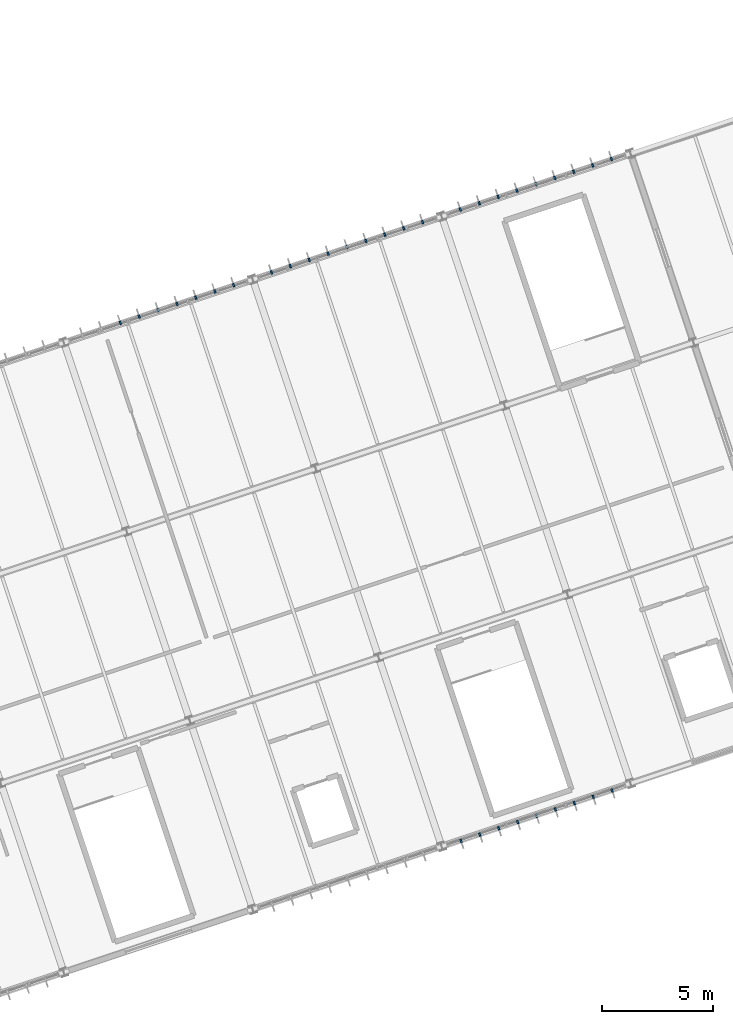
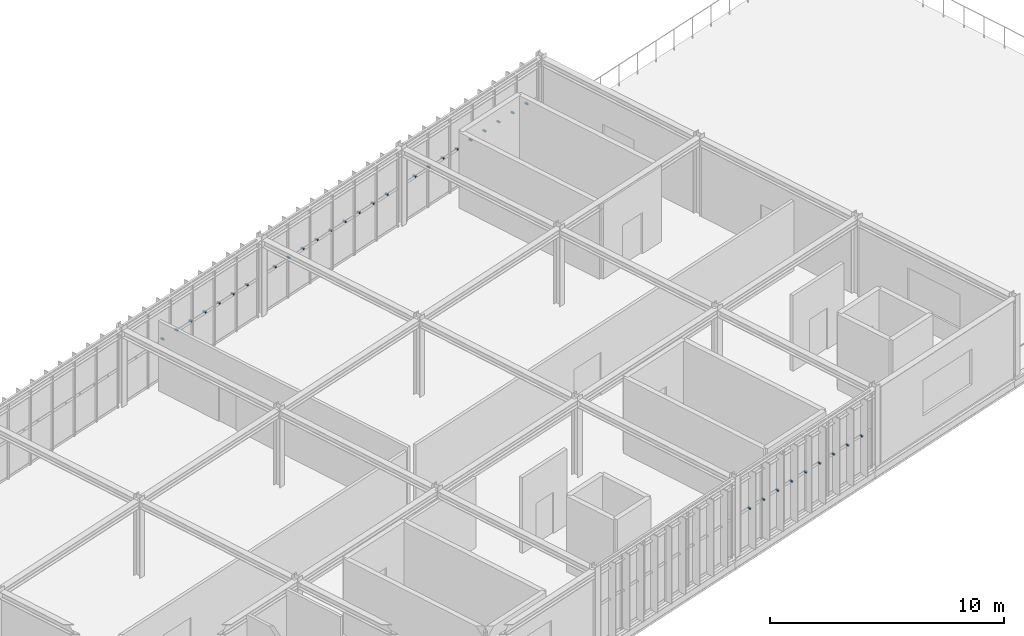
# One storey, part 51 of 61: 34 discrete accessories.
"""IFC4 building model written with IfcOpenShell, lengths in metres."""

from ifc_helpers import new_model, si_unit, derived_unit, direction, frame, origin, origin_2d, place, context, subcontext, project, spatial, rectangle, extrude, material, type_object, element, save


model = new_model("IFC4")

# Units and contexts
model_context = context("Model", 3, precision=1e-05, world=origin(), true_north=direction((0.0, 1.0)))
body_context = subcontext(model_context, "Body", "Model", "MODEL_VIEW")
ifc_project = project(units=[si_unit("LENGTHUNIT", "METRE"), si_unit("AREAUNIT", "SQUARE_METRE"), si_unit("VOLUMEUNIT", "CUBIC_METRE"), si_unit("PLANEANGLEUNIT", "RADIAN"), si_unit("MASSUNIT", "GRAM", prefix="KILO"), si_unit("THERMODYNAMICTEMPERATUREUNIT", "KELVIN"), si_unit("TIMEUNIT", "SECOND"), derived_unit("THERMALTRANSMITTANCEUNIT", [(si_unit("MASSUNIT", "GRAM", prefix="KILO"), 1), (si_unit("THERMODYNAMICTEMPERATUREUNIT", "KELVIN"), -1), (si_unit("TIMEUNIT", "SECOND"), -3)])], contexts=[model_context])

# Site, building, storey
site_placement = place(None, origin())
site = spatial("IfcSite", under=ifc_project, at=site_placement, CompositionType="ELEMENT")
building_placement = place(site_placement, origin())
building = spatial("IfcBuilding", under=site, at=building_placement, Name="Cambertide Market Hall", CompositionType="ELEMENT")
storey_placement = place(building_placement, frame((0.0, 0.0, 9.89990234375)))
storey = spatial("IfcBuildingStorey", under=building, at=storey_placement, Name="L03", CompositionType="ELEMENT", Elevation=9.89990234375)

# Discrete accessories
ifc_material = material(Name="Stainless Steel Grade 316", Category="metal")
discrete_accessory_type = type_object("IfcDiscreteAccessoryType", Name="Stainless Fin Outrigger Tie Bracket", PredefinedType="BRACKET", material=ifc_material)
for number, where, z_axis, x_axis, name in (
    (1, (117.0869140625, 44.1982421875, 1.949951171875), (0.0, 0.0, 1.0), (0.948683274577, 0.316227836438, 0.0), "CW-V3N-L03-3 Fin Tie Bracket 3"),
    (2, (117.940673828125, 44.48291015625, 1.949951171875), (0.0, 0.0, 1.0), (0.948683274577, 0.316227836438, 0.0), "CW-V3N-L03-3 Fin Tie Bracket 4"),
    (3, (118.794677734375, 44.767578125, 1.949951171875), (0.0, 0.0, 1.0), (0.948683274577, 0.316227836438, 0.0), "CW-V3N-L03-3 Fin Tie Bracket 5"),
    (4, (119.6484375, 45.05224609375, 1.949951171875), (0.0, 0.0, 1.0), (0.948683274577, 0.316227836438, 0.0), "CW-V3N-L03-3 Fin Tie Bracket 6"),
    (5, (120.502197265625, 45.336669921875, 1.949951171875), (0.0, 0.0, 1.0), (0.948683274577, 0.316227836438, 0.0), "CW-V3N-L03-3 Fin Tie Bracket 7"),
    (6, (121.35595703125, 45.621337890625, 1.949951171875), (0.0, 0.0, 1.0), (0.948683274577, 0.316227836438, 0.0), "CW-V3N-L03-3 Fin Tie Bracket 8"),
    (7, (122.209716796875, 45.906005859375, 1.949951171875), (0.0, 0.0, 1.0), (0.948683274577, 0.316227836438, 0.0), "CW-V3N-L03-3 Fin Tie Bracket 9"),
    (8, (123.91748046875, 46.47509765625, 1.949951171875), (0.0, 0.0, 1.0), (0.948683286311, 0.316227801236, 0.0), "CW-V3N-L03-4 Fin Tie Bracket 1"),
    (9, (124.771240234375, 46.759765625, 1.949951171875), (0.0, 0.0, 1.0), (0.948683286311, 0.316227801236, 0.0), "CW-V3N-L03-4 Fin Tie Bracket 2"),
    (10, (125.625, 47.04443359375, 1.949951171875), (0.0, 0.0, 1.0), (0.948683286311, 0.316227801236, 0.0), "CW-V3N-L03-4 Fin Tie Bracket 3"),
    (11, (126.47900390625, 47.328857421875, 1.949951171875), (0.0, 0.0, 1.0), (0.948683286311, 0.316227801236, 0.0), "CW-V3N-L03-4 Fin Tie Bracket 4"),
    (12, (127.332763671875, 47.613525390625, 1.949951171875), (0.0, 0.0, 1.0), (0.948683286311, 0.316227801236, 0.0), "CW-V3N-L03-4 Fin Tie Bracket 5"),
    (13, (128.1865234375, 47.898193359375, 1.949951171875), (0.0, 0.0, 1.0), (0.948683286311, 0.316227801236, 0.0), "CW-V3N-L03-4 Fin Tie Bracket 6"),
    (14, (129.040283203125, 48.182861328125, 1.949951171875), (0.0, 0.0, 1.0), (0.948683286311, 0.316227801236, 0.0), "CW-V3N-L03-4 Fin Tie Bracket 7"),
    (15, (129.894287109375, 48.46728515625, 1.949951171875), (0.0, 0.0, 1.0), (0.948683286311, 0.316227801236, 0.0), "CW-V3N-L03-4 Fin Tie Bracket 8"),
    (16, (130.748046875, 48.751953125, 1.949951171875), (0.0, 0.0, 1.0), (0.948683286311, 0.316227801236, 0.0), "CW-V3N-L03-4 Fin Tie Bracket 9"),
    (17, (139.3115234375, 23.061767578125, 1.949951171875), (0.0, 0.0, 1.0), (-0.948683286311, -0.316227801236, 0.0), "CW-V3S-L03-4 Fin Tie Bracket 1"),
    (18, (138.45751953125, 22.777099609375, 1.949951171875), (0.0, 0.0, 1.0), (-0.948683286311, -0.316227801236, 0.0), "CW-V3S-L03-4 Fin Tie Bracket 2"),
    (19, (137.603759765625, 22.492431640625, 1.949951171875), (0.0, 0.0, 1.0), (-0.948683286311, -0.316227801236, 0.0), "CW-V3S-L03-4 Fin Tie Bracket 3"),
    (20, (136.75, 22.207763671875, 1.949951171875), (0.0, 0.0, 1.0), (-0.948683286311, -0.316227801236, 0.0), "CW-V3S-L03-4 Fin Tie Bracket 4"),
    (21, (135.896240234375, 21.92333984375, 1.949951171875), (0.0, 0.0, 1.0), (-0.948683286311, -0.316227801236, 0.0), "CW-V3S-L03-4 Fin Tie Bracket 5"),
    (22, (135.042236328125, 21.638671875, 1.949951171875), (0.0, 0.0, 1.0), (-0.948683286311, -0.316227801236, 0.0), "CW-V3S-L03-4 Fin Tie Bracket 6"),
    (23, (134.1884765625, 21.35400390625, 1.949951171875), (0.0, 0.0, 1.0), (-0.948683286311, -0.316227801236, 0.0), "CW-V3S-L03-4 Fin Tie Bracket 7"),
    (24, (133.334716796875, 21.0693359375, 1.949951171875), (0.0, 0.0, 1.0), (-0.948683286311, -0.316227801236, 0.0), "CW-V3S-L03-4 Fin Tie Bracket 8"),
    (25, (132.48095703125, 20.784912109375, 1.949951171875), (0.0, 0.0, 1.0), (-0.948683286311, -0.316227801236, 0.0), "CW-V3S-L03-4 Fin Tie Bracket 9"),
    (26, (132.45556640625, 49.3212890625, 1.949951171875), (0.0, 0.0, 1.0), (0.948683286311, 0.316227801236, 0.0), "CW-V3N-L03-5 Fin Tie Bracket 1"),
    (27, (133.309326171875, 49.605712890625, 1.949951171875), (0.0, 0.0, 1.0), (0.948683286311, 0.316227801236, 0.0), "CW-V3N-L03-5 Fin Tie Bracket 2"),
    (28, (134.163330078125, 49.890380859375, 1.949951171875), (0.0, 0.0, 1.0), (0.948683286311, 0.316227801236, 0.0), "CW-V3N-L03-5 Fin Tie Bracket 3"),
    (29, (135.01708984375, 50.175048828125, 1.949951171875), (0.0, 0.0, 1.0), (0.948683286311, 0.316227801236, 0.0), "CW-V3N-L03-5 Fin Tie Bracket 4"),
    (30, (135.870849609375, 50.459716796875, 1.949951171875), (0.0, 0.0, 1.0), (0.948683286311, 0.316227801236, 0.0), "CW-V3N-L03-5 Fin Tie Bracket 5"),
    (31, (136.724609375, 50.744140625, 1.949951171875), (0.0, 0.0, 1.0), (0.948683286311, 0.316227801236, 0.0), "CW-V3N-L03-5 Fin Tie Bracket 6"),
    (32, (137.57861328125, 51.02880859375, 1.949951171875), (0.0, 0.0, 1.0), (0.948683286311, 0.316227801236, 0.0), "CW-V3N-L03-5 Fin Tie Bracket 7"),
    (33, (138.432373046875, 51.3134765625, 1.949951171875), (0.0, 0.0, 1.0), (0.948683286311, 0.316227801236, 0.0), "CW-V3N-L03-5 Fin Tie Bracket 8"),
    (34, (139.2861328125, 51.59814453125, 1.949951171875), (0.0, 0.0, 1.0), (0.948683286311, 0.316227801236, 0.0), "CW-V3N-L03-5 Fin Tie Bracket 9"),
):
    element("IfcDiscreteAccessory", number, at=place(storey_placement, frame(where, z_axis=z_axis, x_axis=x_axis)), inside=storey, type_object=discrete_accessory_type, Name=name, PredefinedType="BRACKET", context=body_context, shape_type="SweptSolid", body=[
        extrude(rectangle(XDim=0.080078125, YDim=0.159912109375, at=origin_2d()), origin(), (0.0, 0.0, 1.0), 0.080078125),
    ])

save(model, "model.ifc")
